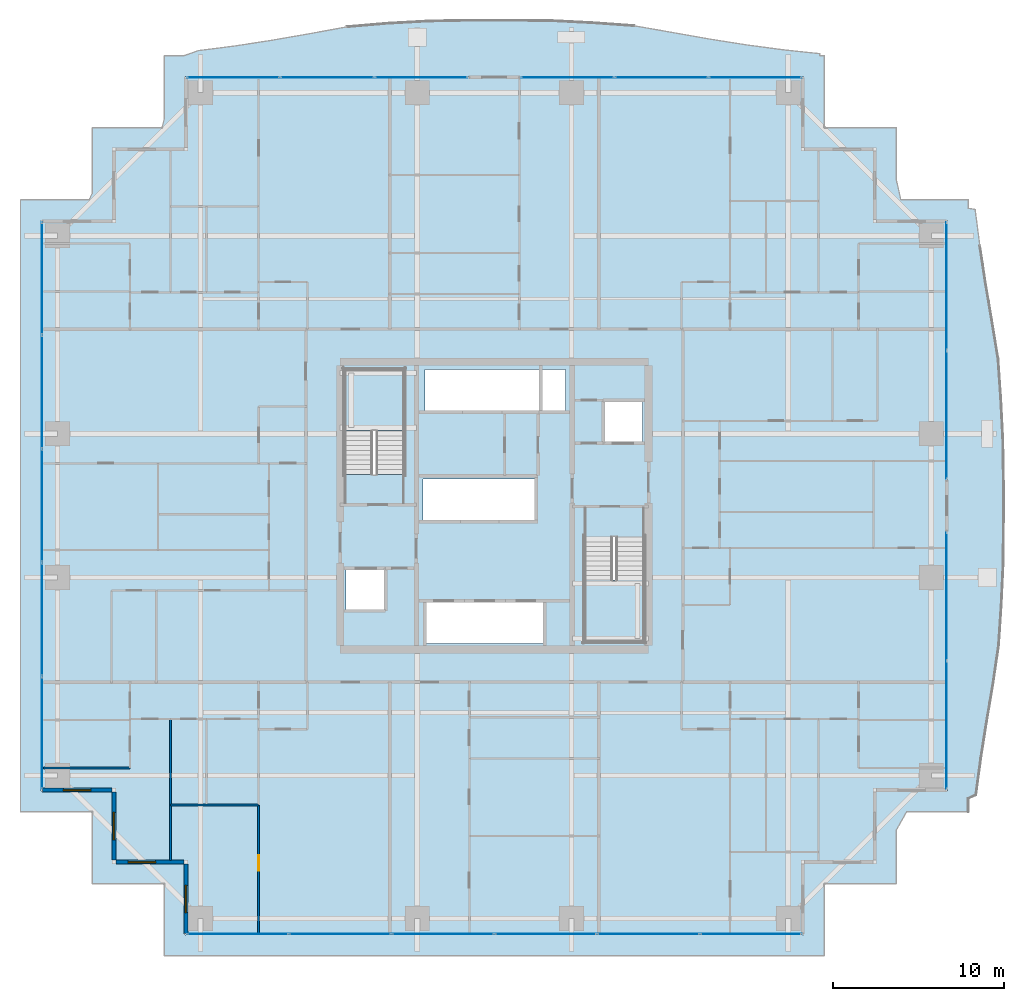
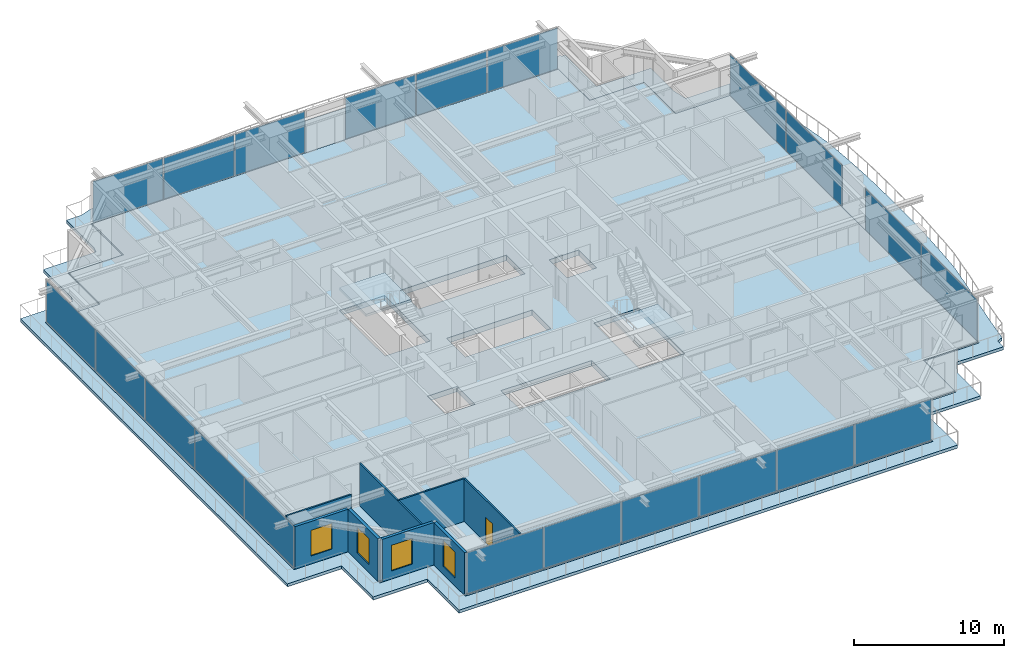
# One storey, part 25 of 37: 21 plates, 8 walls, 4 slabs, 4 windows, 1 door, 5 openings, 8 elements without a shape of their own.
"""IFC4 building model written with IfcOpenShell, lengths in metres."""

from ifc_helpers import new_model, si_unit, direction, frame, frame_2d, origin, origin_2d, place, context, subcontext, project, spatial, polyline, rectangle, outline, extrude, source, transform, mapped, material, layer, layer_set, type_object, element, fill, aggregate, save


model = new_model("IFC4")

# Units and contexts
model_context = context("Model", 3, precision=1e-05, world=origin(), true_north=direction((0.0, 1.0)))
body_context = subcontext(model_context, "Body", "Model", "MODEL_VIEW")
ifc_project = project(units=[si_unit("LENGTHUNIT", "METRE"), si_unit("AREAUNIT", "SQUARE_METRE"), si_unit("VOLUMEUNIT", "CUBIC_METRE"), si_unit("PLANEANGLEUNIT", "RADIAN"), si_unit("MASSUNIT", "GRAM", prefix="KILO")], contexts=[model_context])

# Site, building, storey
site_placement = place(None, origin())
site = spatial("IfcSite", under=ifc_project, at=site_placement, CompositionType="ELEMENT")
building_placement = place(site_placement, origin())
building = spatial("IfcBuilding", under=site, at=building_placement, Name="Serunith Strait Residences", CompositionType="ELEMENT")
storey_placement = place(building_placement, frame((0.0, 0.0, 26.699951171875)))
storey = spatial("IfcBuildingStorey", under=building, at=storey_placement, Name="L05", CompositionType="ELEMENT", Elevation=26.699951171875)

# Slab
ifc_material_1 = material(Name="Concrete C50/60", Category="concrete")
ifc_layer_1 = layer(ifc_material_1, 0.239990234375, Name="Concrete C50/60")
ifc_layer_set_1 = layer_set([ifc_layer_1], Name="Concrete C50/60")
slab_type_1 = type_object("IfcSlabType", Name="SLB-BALC-240", PredefinedType="FLOOR", material=ifc_layer_set_1)
slab_1_placement = place(storey_placement, frame((0.0, 0.0, -0.2900390625)))
element("IfcSlab", 1, at=slab_1_placement, inside=storey, type_object=slab_type_1, Name="L05 Planted Vertical-Forest Balcony Slab", PredefinedType="FLOOR", context=body_context, shape_type="SweptSolid", body=[
    extrude(outline(polyline([(13.00341796875, 47.260009765625), (13.139892578125, 47.77490234375), (13.139892578125, 51.4599609375), (14.294921875, 51.4599609375), (15.12109375, 51.755859375), (17.243408203125, 52.02587890625), (19.3837890625, 52.35498046875), (21.560302734375, 52.73486328125), (23.7939453125, 53.141357421875), (26.14306640625, 53.342041015625), (28.535888671875, 53.47412109375), (30.954345703125, 53.52001953125), (33.383056640625, 53.52001953125), (35.8046875, 53.492919921875), (38.203125, 53.37109375), (40.5673828125, 53.2021484375), (42.818603515625, 52.8115234375), (45.004638671875, 52.424072265625), (47.150390625, 52.084228515625), (49.275146484375, 51.802734375), (51.392578125, 51.578857421875), (51.391845703125, 51.4599609375), (51.659912109375, 51.4599609375), (51.659912109375, 47.260009765625), (55.860107421875, 47.260009765625), (55.860107421875, 44.209716796875), (56.122802734375, 43.06005859375), (60.06005859375, 43.06005859375), (60.06005859375, 42.552001953125), (60.45751953125, 42.488037109375), (60.734375, 40.360107421875), (61.06298828125, 38.210693359375), (61.432861328125, 36.023193359375), (61.802001953125, 33.775634765625), (61.963134765625, 31.42431640625), (62.082763671875, 29.04150390625), (62.1201171875, 26.63671875), (62.1201171875, 24.22314453125), (62.099609375, 21.815673828125), (61.989501953125, 19.427734375), (61.83544921875, 17.070068359375), (61.506103515625, 14.7998046875), (61.131103515625, 12.60302734375), (60.793212890625, 10.44775390625), (60.506103515625, 8.31689453125), (60.06005859375, 8.11279296875), (60.06005859375, 7.340087890625), (56.46923828125, 7.340087890625), (55.860107421875, 6.272705078125), (55.860107421875, 3.139892578125), (51.659912109375, 3.139892578125), (51.659912109375, -1.06005859375), (13.139892578125, -1.06005859375), (13.139892578125, 3.139892578125), (8.93994140625, 3.139892578125), (8.93994140625, 7.340087890625), (4.739990234375, 7.340087890625), (4.739990234375, 43.06005859375), (8.7587890625, 43.06005859375), (8.93994140625, 43.457763671875), (8.93994140625, 47.260009765625), (13.00341796875, 47.260009765625)]), holes=[polyline([(50.455078125, 0.14501953125), (50.455078125, 4.344970703125), (54.655029296875, 4.344970703125), (54.655029296875, 8.544921875), (58.85498046875, 8.544921875), (58.85498046875, 41.85498046875), (54.655029296875, 41.85498046875), (54.655029296875, 46.054931640625), (50.455078125, 46.054931640625), (50.455078125, 50.2548828125), (14.344970703125, 50.2548828125), (14.344970703125, 46.054931640625), (10.14501953125, 46.054931640625), (10.14501953125, 41.85498046875), (5.945068359375, 41.85498046875), (5.945068359375, 8.544921875), (10.14501953125, 8.544921875), (10.14501953125, 4.344970703125), (14.344970703125, 4.344970703125), (14.344970703125, 0.14501953125), (50.455078125, 0.14501953125)])]), origin(), (0.0, 0.0, 1.0), 0.239990234375),
])

# Stair, slab
stair_type_1 = type_object("IfcStairType", Name="STR-CORE-1", PredefinedType="HALF_TURN_STAIR", material=ifc_material_1)
stair_1_placement = place(storey_placement, origin())
stair_1 = element("IfcStair", 2, at=stair_1_placement, inside=storey, type_object=stair_type_1, Name="L05 Protected Escape Stair ST-1", PredefinedType="HALF_TURN_STAIR")
ifc_layer_2 = layer(ifc_material_1, 0.199951171875, Name="Concrete C50/60")
ifc_layer_set_2 = layer_set([ifc_layer_2], Name="Concrete C50/60")
slab_type_2 = type_object("IfcSlabType", Name="SLB-LAND-200", PredefinedType="LANDING", material=ifc_layer_set_2)
slab_2_placement = place(storey_placement, frame((0.0, 0.0, 1.675048828125)))
slab_2 = element("IfcSlab", 3, at=slab_2_placement, type_object=slab_type_2, Name="ST-1 landing 1", PredefinedType="LANDING", context=body_context, shape_type="SweptSolid", body=[
    extrude(outline(polyline([(27.14990234375, 29.550048828125), (27.14990234375, 33.14990234375), (23.64990234375, 33.14990234375), (23.64990234375, 29.550048828125), (27.14990234375, 29.550048828125)])), origin(), (0.0, 0.0, 1.0), 0.199951171875),
])
aggregate(stair_1, [slab_2])

stair_type_2 = type_object("IfcStairType", Name="STR-CORE-2", PredefinedType="HALF_TURN_STAIR", material=ifc_material_1)
stair_2_placement = place(storey_placement, origin())
stair_2 = element("IfcStair", 4, at=stair_2_placement, inside=storey, type_object=stair_type_2, Name="L05 Protected Escape Stair ST-2", PredefinedType="HALF_TURN_STAIR")
slab_3_placement = place(storey_placement, frame((0.0, 0.0, 1.675048828125)))
slab_3 = element("IfcSlab", 5, at=slab_3_placement, type_object=slab_type_2, Name="ST-2 landing 1", PredefinedType="LANDING", context=body_context, shape_type="SweptSolid", body=[
    extrude(outline(polyline([(37.64990234375, 20.85009765625), (37.64990234375, 17.25), (41.14990234375, 17.25), (41.14990234375, 20.85009765625), (37.64990234375, 20.85009765625)])), origin(), (0.0, 0.0, 1.0), 0.199951171875),
])
aggregate(stair_2, [slab_3])

# Slab
ifc_material_2 = material(Name="Concrete C70/85", Category="concrete")
ifc_layer_3 = layer(ifc_material_2, 0.43994140625, Name="Concrete C70/85")
ifc_layer_set_3 = layer_set([ifc_layer_3], Name="Concrete C70/85")
slab_type_3 = type_object("IfcSlabType", Name="SLB-SETB-440", PredefinedType="FLOOR", material=ifc_layer_set_3)
slab_4_placement = place(storey_placement, frame((0.0, 0.0, -0.43994140625)))
element("IfcSlab", 6, at=slab_4_placement, inside=storey, type_object=slab_type_3, Name="L05 Structural Floor Plate", PredefinedType="FLOOR", context=body_context, shape_type="SweptSolid", body=[
    extrude(outline(polyline([(14.39990234375, 4.39990234375), (10.199951171875, 4.39990234375), (10.199951171875, 8.60009765625), (6.0, 8.60009765625), (6.0, 41.800048828125), (10.199951171875, 41.800048828125), (10.199951171875, 46.0), (14.39990234375, 46.0), (14.39990234375, 50.199951171875), (50.39990234375, 50.199951171875), (50.39990234375, 46.0), (54.60009765625, 46.0), (54.60009765625, 41.800048828125), (58.800048828125, 41.800048828125), (58.800048828125, 8.60009765625), (54.60009765625, 8.60009765625), (54.60009765625, 4.39990234375), (50.39990234375, 4.39990234375), (50.39990234375, 0.199951171875), (14.39990234375, 0.199951171875), (14.39990234375, 4.39990234375)]), holes=[polyline([(41.14990234375, 17.25), (41.14990234375, 23.3701171875), (37.64990234375, 23.3701171875), (37.64990234375, 17.25), (41.14990234375, 17.25)]), polyline([(41.050048828125, 31.25), (38.75, 31.25), (38.75, 28.85009765625), (41.050048828125, 28.85009765625), (41.050048828125, 31.25)]), polyline([(36.550048828125, 33.14990234375), (28.35009765625, 33.14990234375), (28.35009765625, 30.64990234375), (36.550048828125, 30.64990234375), (36.550048828125, 33.14990234375)]), polyline([(28.35009765625, 19.64990234375), (28.35009765625, 17.14990234375), (35.35009765625, 17.14990234375), (35.35009765625, 19.64990234375), (28.35009765625, 19.64990234375)]), polyline([(34.85009765625, 26.75), (28.25, 26.75), (28.25, 24.25), (34.85009765625, 24.25), (34.85009765625, 26.75)]), polyline([(23.64990234375, 33.14990234375), (23.64990234375, 27.030029296875), (27.14990234375, 27.030029296875), (27.14990234375, 33.14990234375), (23.64990234375, 33.14990234375)]), polyline([(26.050048828125, 21.550048828125), (23.75, 21.550048828125), (23.75, 19.14990234375), (26.050048828125, 19.14990234375), (26.050048828125, 21.550048828125)])]), origin(), (0.0, 0.0, 1.0), 0.43994140625),
])

# Curtain wall, plates
ifc_material_3 = material(Name="Pale-Champagne Anodised Aluminium", Category="aluminium")
ifc_layer_4 = layer(ifc_material_3, 0.199951171875, Name="Pale-Champagne Anodised Aluminium")
ifc_layer_set_4 = layer_set([ifc_layer_4], Name="Pale-Champagne Anodised Aluminium")
curtain_wall_type = type_object("IfcCurtainWallType", Name="CW-SYS1", PredefinedType="NOTDEFINED", material=ifc_layer_set_4)
curtain_wall_1_placement = place(storey_placement, origin())
curtain_wall_1 = element("IfcCurtainWall", 7, at=curtain_wall_1_placement, inside=storey, type_object=curtain_wall_type, Name="L05 S Unitised Fritted Curtain Wall", PredefinedType="NOTDEFINED")
ifc_material_4 = material(Name="Ceramic-Fritted Low-E Double Glazing 28mm", Category="glass")
ifc_layer_5 = layer(ifc_material_4, 0.028076171875, Name="Ceramic-Fritted Low-E Double Glazing 28mm")
ifc_layer_set_5 = layer_set([ifc_layer_5], Name="Ceramic-Fritted Low-E Double Glazing 28mm")
plate_type = type_object("IfcPlateType", Name="CW-SYS1-PNL", PredefinedType="CURTAIN_PANEL", material=ifc_layer_set_5)
shared_shape_1 = source(origin(), body_context, "Body", "SweptSolid", [
    extrude(rectangle(XDim=5.89501953125, YDim=0.028076171875, at=origin_2d()), origin(), (0.0, 0.0, 1.0), 3.35498046875),
])
plate_1_placement = place(storey_placement, frame((17.41748046875, 0.199951171875, 0.06005859375), z_axis=(0.0, 0.0, 1.0), x_axis=(1.0, 0.0, 0.0)))
plate_1 = element("IfcPlate", 8, at=plate_1_placement, type_object=plate_type, Name="CW-1 panel 1.1", PredefinedType="CURTAIN_PANEL", context=body_context, shape_type="MappedRepresentation", body=[
    mapped(shared_shape_1, transform((0.0, 0.0, 0.0), scale=1.0)),
])
plate_2_placement = place(storey_placement, frame((47.382568359375, 0.199951171875, 0.06005859375), z_axis=(0.0, 0.0, 1.0), x_axis=(1.0, 0.0, 0.0)))
plate_2 = element("IfcPlate", 9, at=plate_2_placement, type_object=plate_type, Name="CW-1 panel 6.1", PredefinedType="CURTAIN_PANEL", context=body_context, shape_type="MappedRepresentation", body=[
    mapped(shared_shape_1, transform((0.0, 0.0, 0.0), scale=1.0)),
])
shared_shape_2 = source(origin(), body_context, "Body", "SweptSolid", [
    extrude(rectangle(XDim=5.929931640625, YDim=0.028076171875, at=origin_2d()), origin(), (0.0, 0.0, 1.0), 3.35498046875),
])
plate_3_placement = place(storey_placement, frame((23.39990234375, 0.199951171875, 0.06005859375), z_axis=(0.0, 0.0, 1.0), x_axis=(1.0, 0.0, 0.0)))
plate_3 = element("IfcPlate", 10, at=plate_3_placement, type_object=plate_type, Name="CW-1 panel 2.1", PredefinedType="CURTAIN_PANEL", context=body_context, shape_type="MappedRepresentation", body=[
    mapped(shared_shape_2, transform((0.0, 0.0, 0.0), scale=1.0)),
])
plate_4_placement = place(storey_placement, frame((29.39990234375, 0.199951171875, 0.06005859375), z_axis=(0.0, 0.0, 1.0), x_axis=(1.0, 0.0, 0.0)))
plate_4 = element("IfcPlate", 11, at=plate_4_placement, type_object=plate_type, Name="CW-1 panel 3.1", PredefinedType="CURTAIN_PANEL", context=body_context, shape_type="MappedRepresentation", body=[
    mapped(shared_shape_2, transform((0.0, 0.0, 0.0), scale=1.0)),
])
plate_5_placement = place(storey_placement, frame((35.39990234375, 0.199951171875, 0.06005859375), z_axis=(0.0, 0.0, 1.0), x_axis=(1.0, 0.0, 0.0)))
plate_5 = element("IfcPlate", 12, at=plate_5_placement, type_object=plate_type, Name="CW-1 panel 4.1", PredefinedType="CURTAIN_PANEL", context=body_context, shape_type="MappedRepresentation", body=[
    mapped(shared_shape_2, transform((0.0, 0.0, 0.0), scale=1.0)),
])
plate_6_placement = place(storey_placement, frame((41.39990234375, 0.199951171875, 0.06005859375), z_axis=(0.0, 0.0, 1.0), x_axis=(1.0, 0.0, 0.0)))
plate_6 = element("IfcPlate", 13, at=plate_6_placement, type_object=plate_type, Name="CW-1 panel 5.1", PredefinedType="CURTAIN_PANEL", context=body_context, shape_type="MappedRepresentation", body=[
    mapped(shared_shape_2, transform((0.0, 0.0, 0.0), scale=1.0)),
])
aggregate(curtain_wall_1, [plate_1, plate_3, plate_4, plate_5, plate_6, plate_2])

curtain_wall_2_placement = place(storey_placement, origin())
curtain_wall_2 = element("IfcCurtainWall", 14, at=curtain_wall_2_placement, inside=storey, type_object=curtain_wall_type, Name="L05 E Unitised Fritted Curtain Wall", PredefinedType="NOTDEFINED")
shared_shape_3 = source(origin(), body_context, "Body", "SweptSolid", [
    extrude(rectangle(XDim=7.445068359375, YDim=0.028076171875, at=origin_2d()), origin(), (0.0, 0.0, 1.0), 3.35498046875),
])
plate_7_placement = place(storey_placement, frame((58.800048828125, 12.392578125, 0.06005859375), z_axis=(0.0, 0.0, 1.0), x_axis=(0.0, 1.0, 0.0)))
plate_7 = element("IfcPlate", 15, at=plate_7_placement, type_object=plate_type, Name="CW-1 panel 1.1", PredefinedType="CURTAIN_PANEL", context=body_context, shape_type="MappedRepresentation", body=[
    mapped(shared_shape_3, transform((0.0, 0.0, 0.0), scale=1.0)),
])
plate_8_placement = place(storey_placement, frame((58.800048828125, 19.907470703125, 0.06005859375), z_axis=(0.0, 0.0, 1.0), x_axis=(0.0, 1.0, 0.0)))
plate_8 = element("IfcPlate", 16, at=plate_8_placement, type_object=plate_type, Name="CW-1 panel 2.1", PredefinedType="CURTAIN_PANEL", context=body_context, shape_type="MappedRepresentation", body=[
    mapped(shared_shape_3, transform((0.0, 0.0, 0.0), scale=1.0)),
])
aggregate(curtain_wall_2, [plate_7, plate_8])

curtain_wall_3_placement = place(storey_placement, origin())
curtain_wall_3 = element("IfcCurtainWall", 17, at=curtain_wall_3_placement, inside=storey, type_object=curtain_wall_type, Name="L05 E Unitised Fritted Curtain Wall", PredefinedType="NOTDEFINED")
plate_9_placement = place(storey_placement, frame((58.800048828125, 30.492431640625, 0.06005859375), z_axis=(0.0, 0.0, 1.0), x_axis=(0.0, 1.0, 0.0)))
plate_9 = element("IfcPlate", 18, at=plate_9_placement, type_object=plate_type, Name="CW-1 panel 1.1", PredefinedType="CURTAIN_PANEL", context=body_context, shape_type="MappedRepresentation", body=[
    mapped(shared_shape_3, transform((0.0, 0.0, 0.0), scale=1.0)),
])
plate_10_placement = place(storey_placement, frame((58.800048828125, 38.007568359375, 0.06005859375), z_axis=(0.0, 0.0, 1.0), x_axis=(0.0, 1.0, 0.0)))
plate_10 = element("IfcPlate", 19, at=plate_10_placement, type_object=plate_type, Name="CW-1 panel 2.1", PredefinedType="CURTAIN_PANEL", context=body_context, shape_type="MappedRepresentation", body=[
    mapped(shared_shape_3, transform((0.0, 0.0, 0.0), scale=1.0)),
])
aggregate(curtain_wall_3, [plate_9, plate_10])

curtain_wall_4_placement = place(storey_placement, origin())
curtain_wall_4 = element("IfcCurtainWall", 20, at=curtain_wall_4_placement, inside=storey, type_object=curtain_wall_type, Name="L05 N Unitised Fritted Curtain Wall", PredefinedType="NOTDEFINED")
shared_shape_4 = source(origin(), body_context, "Body", "SweptSolid", [
    extrude(rectangle(XDim=5.39501953125, YDim=0.028076171875, at=origin_2d()), origin(), (0.0, 0.0, 1.0), 3.35498046875),
])
plate_11_placement = place(storey_placement, frame((47.632568359375, 50.199951171875, 0.06005859375), z_axis=(0.0, 0.0, 1.0), x_axis=(-1.0, 0.0, 0.0)))
plate_11 = element("IfcPlate", 21, at=plate_11_placement, type_object=plate_type, Name="CW-1 panel 1.1", PredefinedType="CURTAIN_PANEL", context=body_context, shape_type="MappedRepresentation", body=[
    mapped(shared_shape_4, transform((0.0, 0.0, 0.0), scale=1.0)),
])
plate_12_placement = place(storey_placement, frame((36.66748046875, 50.199951171875, 0.06005859375), z_axis=(0.0, 0.0, 1.0), x_axis=(-1.0, 0.0, 0.0)))
plate_12 = element("IfcPlate", 22, at=plate_12_placement, type_object=plate_type, Name="CW-1 panel 3.1", PredefinedType="CURTAIN_PANEL", context=body_context, shape_type="MappedRepresentation", body=[
    mapped(shared_shape_4, transform((0.0, 0.0, 0.0), scale=1.0)),
])

curtain_wall_5_placement = place(storey_placement, origin())
curtain_wall_5 = element("IfcCurtainWall", 23, at=curtain_wall_5_placement, inside=storey, type_object=curtain_wall_type, Name="L05 N Unitised Fritted Curtain Wall", PredefinedType="NOTDEFINED")
plate_13_placement = place(storey_placement, frame((28.132568359375, 50.199951171875, 0.06005859375), z_axis=(0.0, 0.0, 1.0), x_axis=(-1.0, 0.0, 0.0)))
plate_13 = element("IfcPlate", 24, at=plate_13_placement, type_object=plate_type, Name="CW-1 panel 1.1", PredefinedType="CURTAIN_PANEL", context=body_context, shape_type="MappedRepresentation", body=[
    mapped(shared_shape_4, transform((0.0, 0.0, 0.0), scale=1.0)),
])
plate_14_placement = place(storey_placement, frame((17.16748046875, 50.199951171875, 0.06005859375), z_axis=(0.0, 0.0, 1.0), x_axis=(-1.0, 0.0, 0.0)))
plate_14 = element("IfcPlate", 25, at=plate_14_placement, type_object=plate_type, Name="CW-1 panel 3.1", PredefinedType="CURTAIN_PANEL", context=body_context, shape_type="MappedRepresentation", body=[
    mapped(shared_shape_4, transform((0.0, 0.0, 0.0), scale=1.0)),
])

# Plate
shared_shape_5 = source(origin(), body_context, "Body", "SweptSolid", [
    extrude(rectangle(XDim=5.429931640625, YDim=0.028076171875, at=origin_2d()), origin(), (0.0, 0.0, 1.0), 3.35498046875),
])
plate_15_placement = place(storey_placement, frame((42.14990234375, 50.199951171875, 0.06005859375), z_axis=(0.0, 0.0, 1.0), x_axis=(-1.0, 0.0, 0.0)))
plate_15 = element("IfcPlate", 26, at=plate_15_placement, type_object=plate_type, Name="CW-1 panel 2.1", PredefinedType="CURTAIN_PANEL", context=body_context, shape_type="MappedRepresentation", body=[
    mapped(shared_shape_5, transform((0.0, 0.0, 0.0), scale=1.0)),
])

aggregate(curtain_wall_4, [plate_11, plate_15, plate_12])

plate_16_placement = place(storey_placement, frame((22.64990234375, 50.199951171875, 0.06005859375), z_axis=(0.0, 0.0, 1.0), x_axis=(-1.0, 0.0, 0.0)))
plate_16 = element("IfcPlate", 27, at=plate_16_placement, type_object=plate_type, Name="CW-1 panel 2.1", PredefinedType="CURTAIN_PANEL", context=body_context, shape_type="MappedRepresentation", body=[
    mapped(shared_shape_5, transform((0.0, 0.0, 0.0), scale=1.0)),
])

aggregate(curtain_wall_5, [plate_13, plate_16, plate_14])

# Curtain wall, plates
curtain_wall_6_placement = place(storey_placement, origin())
curtain_wall_6 = element("IfcCurtainWall", 28, at=curtain_wall_6_placement, inside=storey, type_object=curtain_wall_type, Name="L05 W Unitised Fritted Curtain Wall", PredefinedType="NOTDEFINED")
shared_shape_6 = source(origin(), body_context, "Body", "SweptSolid", [
    extrude(rectangle(XDim=6.534912109375, YDim=0.028076171875, at=origin_2d()), origin(), (0.0, 0.0, 1.0), 3.35498046875),
])
plate_17_placement = place(storey_placement, frame((6.0, 38.46240234375, 0.06005859375), z_axis=(0.0, 0.0, 1.0), x_axis=(0.0, -1.0, 0.0)))
plate_17 = element("IfcPlate", 29, at=plate_17_placement, type_object=plate_type, Name="CW-1 panel 1.1", PredefinedType="CURTAIN_PANEL", context=body_context, shape_type="MappedRepresentation", body=[
    mapped(shared_shape_6, transform((0.0, 0.0, 0.0), scale=1.0)),
])
plate_18_placement = place(storey_placement, frame((6.0, 11.9375, 0.06005859375), z_axis=(0.0, 0.0, 1.0), x_axis=(0.0, -1.0, 0.0)))
plate_18 = element("IfcPlate", 30, at=plate_18_placement, type_object=plate_type, Name="CW-1 panel 5.1", PredefinedType="CURTAIN_PANEL", context=body_context, shape_type="MappedRepresentation", body=[
    mapped(shared_shape_6, transform((0.0, 0.0, 0.0), scale=1.0)),
])
shared_shape_7 = source(origin(), body_context, "Body", "SweptSolid", [
    extrude(rectangle(XDim=6.570068359375, YDim=0.028076171875, at=origin_2d()), origin(), (0.0, 0.0, 1.0), 3.35498046875),
])
plate_19_placement = place(storey_placement, frame((6.0, 31.840087890625, 0.06005859375), z_axis=(0.0, 0.0, 1.0), x_axis=(0.0, -1.0, 0.0)))
plate_19 = element("IfcPlate", 31, at=plate_19_placement, type_object=plate_type, Name="CW-1 panel 2.1", PredefinedType="CURTAIN_PANEL", context=body_context, shape_type="MappedRepresentation", body=[
    mapped(shared_shape_7, transform((0.0, 0.0, 0.0), scale=1.0)),
])
plate_20_placement = place(storey_placement, frame((6.0, 25.199951171875, 0.06005859375), z_axis=(0.0, 0.0, 1.0), x_axis=(0.0, -1.0, 0.0)))
plate_20 = element("IfcPlate", 32, at=plate_20_placement, type_object=plate_type, Name="CW-1 panel 3.1", PredefinedType="CURTAIN_PANEL", context=body_context, shape_type="MappedRepresentation", body=[
    mapped(shared_shape_7, transform((0.0, 0.0, 0.0), scale=1.0)),
])
plate_21_placement = place(storey_placement, frame((6.0, 18.56005859375, 0.06005859375), z_axis=(0.0, 0.0, 1.0), x_axis=(0.0, -1.0, 0.0)))
plate_21 = element("IfcPlate", 33, at=plate_21_placement, type_object=plate_type, Name="CW-1 panel 4.1", PredefinedType="CURTAIN_PANEL", context=body_context, shape_type="MappedRepresentation", body=[
    mapped(shared_shape_7, transform((0.0, 0.0, 0.0), scale=1.0)),
])
aggregate(curtain_wall_6, [plate_17, plate_19, plate_20, plate_21, plate_18])

# Wall, opening, window
ifc_material_5 = material(Name="Pale-Champagne Aluminium Insulated Panel", Category="aluminium")
ifc_layer_6 = layer(ifc_material_5, 0.219970703125, Name="Pale-Champagne Aluminium Insulated Panel")
ifc_layer_set_6 = layer_set([ifc_layer_6], Name="Pale-Champagne Aluminium Insulated Panel")
wall_type_1 = type_object("IfcWallType", Name="EW-ALUM-220", PredefinedType="ELEMENTEDWALL", material=ifc_layer_set_6)
wall_1_placement = place(storey_placement, frame((6.0, 8.60009765625, 0.0), z_axis=(0.0, 0.0, 1.0), x_axis=(1.0, 0.0, 0.0)))
wall_1 = element("IfcWall", 34, at=wall_1_placement, inside=storey, type_object=wall_type_1, Name="L05 Girih Serrated Corner Wall 17", PredefinedType="ELEMENTEDWALL", context=body_context, shape_type="SweptSolid", body=[
    extrude(rectangle(XDim=4.090087890625, YDim=0.219970703125, at=frame_2d((2.044921875, 0.0))), origin(), (0.0, 0.0, 1.0), 3.47509765625),
])
opening_1_placement = place(wall_1_placement, frame((1.2451171875, 0.0, 0.64990234375)))
opening_1 = element("IfcOpeningElement", 35, at=opening_1_placement, cuts=wall_1, Name="Opening W-02", PredefinedType="OPENING", context=body_context, shape_type="SweptSolid", body=[
    extrude(rectangle(XDim=1.60009765625, YDim=2.10009765625, at=frame_2d((0.800048828125, 1.050048828125))), frame((0.0, 0.1201171875, 0.0), z_axis=(0.0, -1.0, 0.0), x_axis=(1.0, 0.0, 0.0)), (0.0, 0.0, 1.0), 0.239990234375),
])
ifc_material_6 = material(Name="Ceramic-Fritted Operable Aluminium Window Glass", Category="aluminium")
window_type = type_object("IfcWindowType", Name="WIN-C2", PartitioningType="DOUBLE_PANEL_VERTICAL", PredefinedType="WINDOW", material=ifc_material_6)
shared_shape_8 = source(origin(), body_context, "Body", "SweptSolid", [
    extrude(rectangle(XDim=1.60009765625, YDim=2.10009765625, at=frame_2d((0.800048828125, 1.050048828125))), frame((0.0, 0.030029296875, 0.0), z_axis=(0.0, -1.0, 0.0), x_axis=(1.0, 0.0, 0.0)), (0.0, 0.0, 1.0), 0.06005859375),
])
window_1_placement = place(opening_1_placement, origin())
window_1 = element("IfcWindow", 36, at=window_1_placement, inside=storey, type_object=window_type, Name="L05 Corner Operable Fritted Window 17", OverallHeight=2.10009765625, OverallWidth=1.60009765625, PartitioningType="SINGLE_PANEL", PredefinedType="WINDOW", context=body_context, shape_type="MappedRepresentation", body=[
    mapped(shared_shape_8, transform((0.0, 0.0, 0.0), scale=1.0)),
])
fill(opening_1, window_1)

wall_2_placement = place(storey_placement, frame((10.199951171875, 8.489990234375, 0.0), z_axis=(0.0, 0.0, 1.0), x_axis=(0.0, -1.0, 0.0)))
wall_2 = element("IfcWall", 37, at=wall_2_placement, inside=storey, type_object=wall_type_1, Name="L05 Girih Serrated Corner Wall 18", PredefinedType="ELEMENTEDWALL", context=body_context, shape_type="SweptSolid", body=[
    extrude(rectangle(XDim=3.97998046875, YDim=0.219970703125, at=frame_2d((1.989990234375, 0.0))), origin(), (0.0, 0.0, 1.0), 3.47509765625),
])
opening_2_placement = place(wall_2_placement, frame((1.18994140625, 0.0, 0.64990234375)))
opening_2 = element("IfcOpeningElement", 38, at=opening_2_placement, cuts=wall_2, Name="Opening W-02", PredefinedType="OPENING", context=body_context, shape_type="SweptSolid", body=[
    extrude(rectangle(XDim=1.60009765625, YDim=2.10009765625, at=frame_2d((0.800048828125, 1.050048828125))), frame((0.0, 0.1201171875, 0.0), z_axis=(0.0, -1.0, 0.0), x_axis=(1.0, 0.0, 0.0)), (0.0, 0.0, 1.0), 0.239990234375),
])
window_2_placement = place(opening_2_placement, origin())
window_2 = element("IfcWindow", 39, at=window_2_placement, inside=storey, type_object=window_type, Name="L05 Corner Operable Fritted Window 18", OverallHeight=2.10009765625, OverallWidth=1.60009765625, PartitioningType="SINGLE_PANEL", PredefinedType="WINDOW", context=body_context, shape_type="MappedRepresentation", body=[
    mapped(shared_shape_8, transform((0.0, 0.0, 0.0), scale=1.0)),
])
fill(opening_2, window_2)

wall_3_placement = place(storey_placement, frame((10.31005859375, 4.39990234375, 0.0), z_axis=(0.0, 0.0, 1.0), x_axis=(1.0, 0.0, 0.0)))
wall_3 = element("IfcWall", 40, at=wall_3_placement, inside=storey, type_object=wall_type_1, Name="L05 Girih Serrated Corner Wall 19", PredefinedType="ELEMENTEDWALL", context=body_context, shape_type="SweptSolid", body=[
    extrude(rectangle(XDim=3.97998046875, YDim=0.219970703125, at=frame_2d((1.989990234375, 0.0))), origin(), (0.0, 0.0, 1.0), 3.47509765625),
])
opening_3_placement = place(wall_3_placement, frame((0.714111328125, 0.0, 0.64990234375)))
opening_3 = element("IfcOpeningElement", 41, at=opening_3_placement, cuts=wall_3, Name="Opening W-02", PredefinedType="OPENING", context=body_context, shape_type="SweptSolid", body=[
    extrude(rectangle(XDim=1.60009765625, YDim=2.10009765625, at=frame_2d((0.800048828125, 1.050048828125))), frame((0.0, 0.1201171875, 0.0), z_axis=(0.0, -1.0, 0.0), x_axis=(1.0, 0.0, 0.0)), (0.0, 0.0, 1.0), 0.239990234375),
])
window_3_placement = place(opening_3_placement, origin())
window_3 = element("IfcWindow", 42, at=window_3_placement, inside=storey, type_object=window_type, Name="L05 Corner Operable Fritted Window 19", OverallHeight=2.10009765625, OverallWidth=1.60009765625, PartitioningType="SINGLE_PANEL", PredefinedType="WINDOW", context=body_context, shape_type="MappedRepresentation", body=[
    mapped(shared_shape_8, transform((0.0, 0.0, 0.0), scale=1.0)),
])
fill(opening_3, window_3)

wall_4_placement = place(storey_placement, frame((14.39990234375, 4.2900390625, 0.0), z_axis=(0.0, 0.0, 1.0), x_axis=(0.0, -1.0, 0.0)))
wall_4 = element("IfcWall", 43, at=wall_4_placement, inside=storey, type_object=wall_type_1, Name="L05 Girih Serrated Corner Wall 20", PredefinedType="ELEMENTEDWALL", context=body_context, shape_type="SweptSolid", body=[
    extrude(rectangle(XDim=4.090087890625, YDim=0.219970703125, at=frame_2d((2.044921875, 0.0))), origin(), (0.0, 0.0, 1.0), 3.47509765625),
])
opening_4_placement = place(wall_4_placement, frame((1.2451171875, 0.0, 0.64990234375)))
opening_4 = element("IfcOpeningElement", 44, at=opening_4_placement, cuts=wall_4, Name="Opening W-02", PredefinedType="OPENING", context=body_context, shape_type="SweptSolid", body=[
    extrude(rectangle(XDim=1.60009765625, YDim=2.10009765625, at=frame_2d((0.800048828125, 1.050048828125))), frame((0.0, 0.1201171875, 0.0), z_axis=(0.0, -1.0, 0.0), x_axis=(1.0, 0.0, 0.0)), (0.0, 0.0, 1.0), 0.239990234375),
])
window_4_placement = place(opening_4_placement, origin())
window_4 = element("IfcWindow", 45, at=window_4_placement, inside=storey, type_object=window_type, Name="L05 Corner Operable Fritted Window 20", OverallHeight=2.10009765625, OverallWidth=1.60009765625, PartitioningType="SINGLE_PANEL", PredefinedType="WINDOW", context=body_context, shape_type="MappedRepresentation", body=[
    mapped(shared_shape_8, transform((0.0, 0.0, 0.0), scale=1.0)),
])
fill(opening_4, window_4)

# Wall, opening, door
ifc_material_7 = material(Name="Lightweight steel-stud gypsum partition", Category="steel")
ifc_layer_7 = layer(ifc_material_7, 0.1201171875, Name="Lightweight steel-stud gypsum partition")
ifc_layer_set_7 = layer_set([ifc_layer_7], Name="Lightweight steel-stud gypsum partition")
wall_type_2 = type_object("IfcWallType", Name="IW-PART-120", PredefinedType="PARTITIONING", material=ifc_layer_set_7)
wall_5_placement = place(storey_placement, frame((18.639892578125, 0.294921875, 0.0), z_axis=(0.0, 0.0, 1.0), x_axis=(0.0, 1.0, 0.0)))
wall_5 = element("IfcWall", 46, at=wall_5_placement, inside=storey, type_object=wall_type_2, Name="L05 Partition Wall 030", PredefinedType="PARTITIONING", context=body_context, shape_type="SweptSolid", body=[
    extrude(rectangle(XDim=7.43310546875, YDim=0.1201171875, at=frame_2d((3.716552734375, 0.0))), origin(), (0.0, 0.0, 1.0), 3.489990234375),
])
opening_5_placement = place(wall_5_placement, frame((3.593017578125, 0.0, 0.0)))
opening_5 = element("IfcOpeningElement", 47, at=opening_5_placement, cuts=wall_5, Name="Opening D-RM900", PredefinedType="OPENING", context=body_context, shape_type="SweptSolid", body=[
    extrude(rectangle(XDim=0.89990234375, YDim=2.10009765625, at=frame_2d((0.449951171875, 1.050048828125))), frame((0.0, 0.070068359375, 0.0), z_axis=(0.0, -1.0, 0.0), x_axis=(1.0, 0.0, 0.0)), (0.0, 0.0, 1.0), 0.14013671875),
])
ifc_material_8 = material(Name="Engineered timber flush bedroom door", Category="wood")
door_type = type_object("IfcDoorType", Name="ID-ROOM-900", OperationType="NOTDEFINED", PredefinedType="DOOR", material=ifc_material_8)
shared_shape_9 = source(origin(), body_context, "Body", "SweptSolid", [
    extrude(rectangle(XDim=0.89990234375, YDim=2.10009765625, at=frame_2d((0.449951171875, 1.050048828125))), frame((0.0, 0.02490234375, 0.0), z_axis=(0.0, -1.0, 0.0), x_axis=(1.0, 0.0, 0.0)), (0.0, 0.0, 1.0), 0.050048828125),
])
door_placement = place(opening_5_placement, origin())
door = element("IfcDoor", 48, at=door_placement, inside=storey, type_object=door_type, Name="L05 Formal Dining Room 1 0501 Door", OperationType="SINGLE_SWING_LEFT", OverallHeight=2.10009765625, OverallWidth=0.89990234375, PredefinedType="DOOR", context=body_context, shape_type="MappedRepresentation", body=[
    mapped(shared_shape_9, transform((0.0, 0.0, 0.0), scale=1.0)),
])
fill(opening_5, door)

# Walls
wall_6_placement = place(storey_placement, frame((13.489990234375, 7.72802734375, 0.0), z_axis=(0.0, 0.0, 1.0), x_axis=(1.0, 0.0, 0.0)))
element("IfcWall", 49, at=wall_6_placement, inside=storey, type_object=wall_type_2, Name="L05 Partition Wall 032", PredefinedType="PARTITIONING", context=body_context, shape_type="SweptSolid", body=[
    extrude(rectangle(XDim=5.14990234375, YDim=0.1201171875, at=frame_2d((2.574951171875, 0.0))), origin(), (0.0, 0.0, 1.0), 3.489990234375),
])
wall_7_placement = place(storey_placement, frame((13.489990234375, 4.4951171875, 0.0), z_axis=(0.0, 0.0, 1.0), x_axis=(0.0, 1.0, 0.0)))
element("IfcWall", 50, at=wall_7_placement, inside=storey, type_object=wall_type_2, Name="L05 Partition Wall 033", PredefinedType="PARTITIONING", context=body_context, shape_type="SweptSolid", body=[
    extrude(rectangle(XDim=8.2548828125, YDim=0.1201171875, at=frame_2d((4.12744140625, 0.0))), origin(), (0.0, 0.0, 1.0), 3.489990234375),
])
wall_8_placement = place(storey_placement, frame((6.094970703125, 9.89404296875, 0.0), z_axis=(0.0, 0.0, 1.0), x_axis=(1.0, 0.0, 0.0)))
element("IfcWall", 51, at=wall_8_placement, inside=storey, type_object=wall_type_2, Name="L05 Partition Wall 038", PredefinedType="PARTITIONING", context=body_context, shape_type="SweptSolid", body=[
    extrude(rectangle(XDim=5.044921875, YDim=0.1201171875, at=frame_2d((2.5224609375, 0.0))), origin(), (0.0, 0.0, 1.0), 3.489990234375),
])

save(model, "model.ifc")
